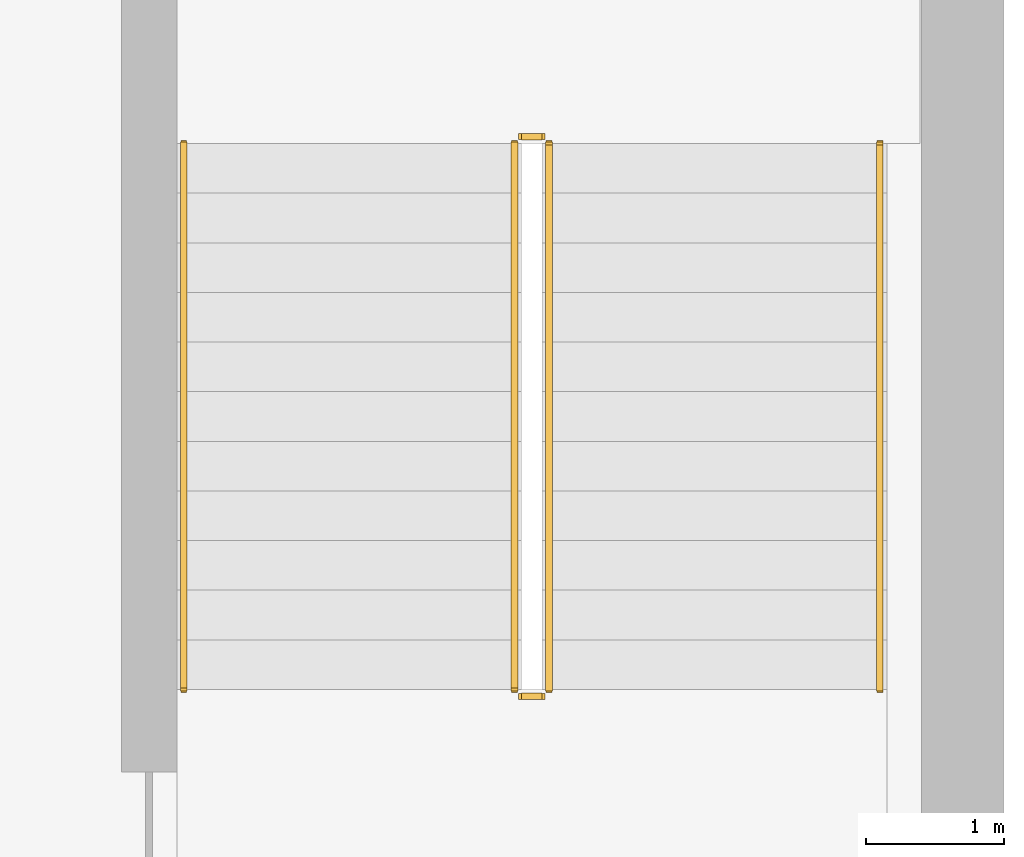
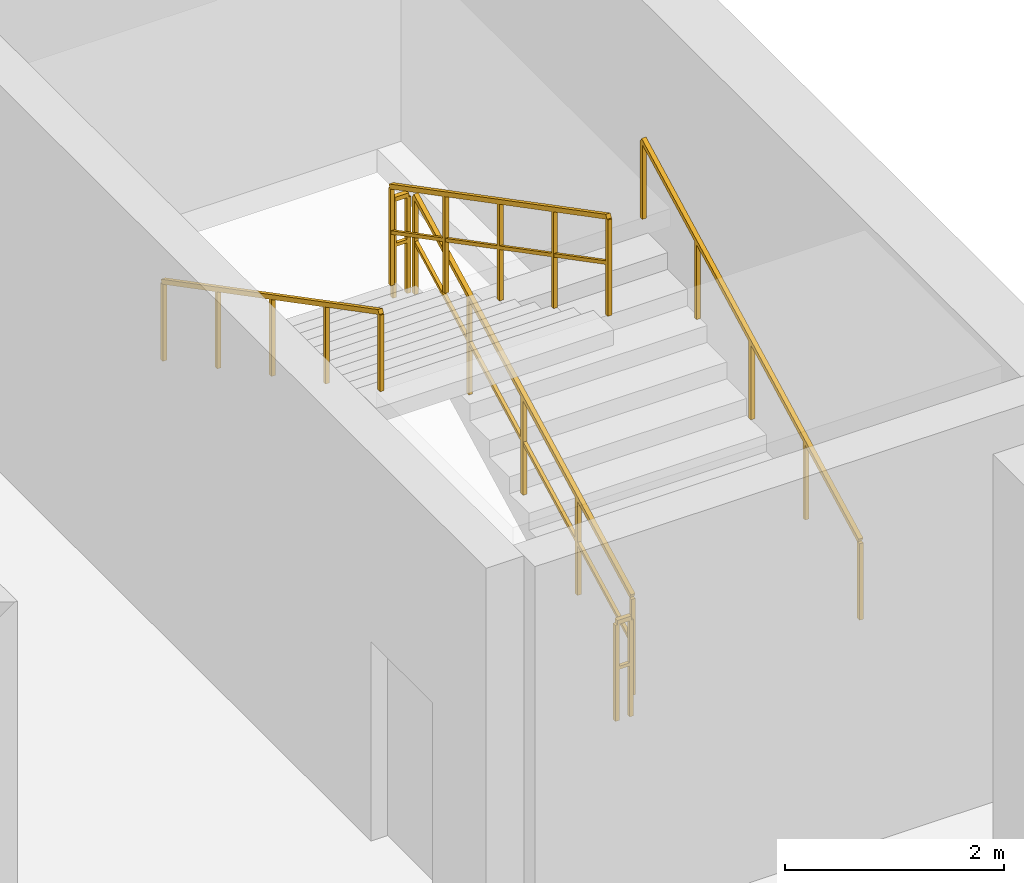
# One storey, part 12 of 13: 6 railings.
"""IFC4 building model written with IfcOpenShell, lengths in metres."""

from ifc_helpers import new_model, si_unit, direction, frame, origin, origin_2d, place, context, subcontext, project, spatial, rectangle, extrude, material, type_object, element, save


model = new_model("IFC4")

# Units and contexts
model_context = context("Model", 3, precision=1e-05, world=origin(), true_north=direction((0.0, 1.0)))
body_context = subcontext(model_context, "Body", "Model", "MODEL_VIEW")
ifc_project = project(units=[si_unit("LENGTHUNIT", "METRE"), si_unit("AREAUNIT", "SQUARE_METRE"), si_unit("VOLUMEUNIT", "CUBIC_METRE"), si_unit("PLANEANGLEUNIT", "RADIAN"), si_unit("MASSUNIT", "GRAM", prefix="KILO")], contexts=[model_context])

# Site, building, storey
site_placement = place(None, origin())
site = spatial("IfcSite", under=ifc_project, at=site_placement, CompositionType="ELEMENT")
building_placement = place(site_placement, origin())
building = spatial("IfcBuilding", under=site, at=building_placement, Name="Zuhayl Quay Hotel", CompositionType="ELEMENT")
storey_placement = place(building_placement, frame((0.0, 0.0, -4.5)))
storey = spatial("IfcBuildingStorey", under=building, at=storey_placement, Name="B1", CompositionType="ELEMENT", Elevation=-4.5)

# Railings
ifc_material = material(Name="Steel ASTM A992 Grade 50", Category="steel")
railing_type_1 = type_object("IfcRailingType", Name="RL_GUARD_1100", PredefinedType="GUARDRAIL", material=ifc_material)
railing_1_placement = place(storey_placement, frame((33.0, 4.10009765625, 0.1875)))
element("IfcRailing", 1, at=railing_1_placement, inside=storey, type_object=railing_type_1, Name="B1 ST4 stair guard 1", PredefinedType="GUARDRAIL", context=body_context, shape_type="SweptSolid", body=[
    extrude(rectangle(XDim=0.048095703125, YDim=0.048095703125, at=origin_2d()), frame((0.0, 0.0, 1.09619140625), z_axis=(0.0, 0.886912217305, 0.461938003193), x_axis=(-1.0, 0.0, 0.0)), (0.0, 0.0, 1.0), 4.46484375),
    extrude(rectangle(XDim=0.0361328125, YDim=0.0361328125, at=origin_2d()), frame((0.0, 0.0, 0.58251953125), z_axis=(0.0, 0.886912217305, 0.461938003193), x_axis=(-1.0, 0.0, 0.0)), (0.0, 0.0, 1.0), 4.46484375),
    extrude(rectangle(XDim=0.0419921875, YDim=0.0419921875, at=origin_2d()), origin(), (0.0, 0.0, 1.0), 1.072021484375),
    extrude(rectangle(XDim=0.0419921875, YDim=0.0419921875, at=origin_2d()), frame((0.0, 0.989990234375, 0.515625)), (0.0, 0.0, 1.0), 1.072021484375),
    extrude(rectangle(XDim=0.0419921875, YDim=0.0419921875, at=origin_2d()), frame((0.0, 1.97998046875, 1.03125)), (0.0, 0.0, 1.0), 1.072021484375),
    extrude(rectangle(XDim=0.0419921875, YDim=0.0419921875, at=origin_2d()), frame((0.0, 2.969970703125, 1.546875)), (0.0, 0.0, 1.0), 1.072021484375),
    extrude(rectangle(XDim=0.0419921875, YDim=0.0419921875, at=origin_2d()), frame((0.0, 3.9599609375, 2.0625)), (0.0, 0.0, 1.0), 1.072021484375),
])
railing_2_placement = place(storey_placement, frame((32.949951171875, 8.110107421875, 2.25)))
element("IfcRailing", 2, at=railing_2_placement, inside=storey, type_object=railing_type_1, Name="B1 ST4 stair guard 2", PredefinedType="GUARDRAIL", context=body_context, shape_type="SweptSolid", body=[
    extrude(rectangle(XDim=0.048095703125, YDim=0.048095703125, at=origin_2d()), frame((0.0, 0.0, 1.09619140625), z_axis=(-1.0, 0.0, 0.0), x_axis=(0.0, -1.0, 0.0)), (0.0, 0.0, 1.0), 0.14990234375),
    extrude(rectangle(XDim=0.0361328125, YDim=0.0361328125, at=origin_2d()), frame((0.0, 0.0, 0.58251953125), z_axis=(-1.0, 0.0, 0.0), x_axis=(0.0, -1.0, 0.0)), (0.0, 0.0, 1.0), 0.14990234375),
    extrude(rectangle(XDim=0.0419921875, YDim=0.0419921875, at=origin_2d()), origin(), (0.0, 0.0, 1.0), 1.072021484375),
    extrude(rectangle(XDim=0.0419921875, YDim=0.0419921875, at=origin_2d()), frame((-0.14990234375, 0.0, 0.0)), (0.0, 0.0, 1.0), 1.072021484375),
])
railing_3_placement = place(storey_placement, frame((32.75, 8.06005859375, 2.4375)))
element("IfcRailing", 3, at=railing_3_placement, inside=storey, type_object=railing_type_1, Name="B1 ST4 stair guard 3", PredefinedType="GUARDRAIL", context=body_context, shape_type="SweptSolid", body=[
    extrude(rectangle(XDim=0.048095703125, YDim=0.048095703125, at=origin_2d()), frame((0.0, 0.0, 1.09619140625), z_axis=(0.0, -0.886912217305, 0.461938003193), x_axis=(1.0, 0.0, 0.0)), (0.0, 0.0, 1.0), 4.46484375),
    extrude(rectangle(XDim=0.0361328125, YDim=0.0361328125, at=origin_2d()), frame((0.0, 0.0, 0.58251953125), z_axis=(0.0, -0.886912217305, 0.461938003193), x_axis=(1.0, 0.0, 0.0)), (0.0, 0.0, 1.0), 4.46484375),
    extrude(rectangle(XDim=0.0419921875, YDim=0.0419921875, at=origin_2d()), origin(), (0.0, 0.0, 1.0), 1.072021484375),
    extrude(rectangle(XDim=0.0419921875, YDim=0.0419921875, at=origin_2d()), frame((0.0, -0.989990234375, 0.515625)), (0.0, 0.0, 1.0), 1.072021484375),
    extrude(rectangle(XDim=0.0419921875, YDim=0.0419921875, at=origin_2d()), frame((0.0, -1.97998046875, 1.03125)), (0.0, 0.0, 1.0), 1.072021484375),
    extrude(rectangle(XDim=0.0419921875, YDim=0.0419921875, at=origin_2d()), frame((0.0, -2.969970703125, 1.546875)), (0.0, 0.0, 1.0), 1.072021484375),
    extrude(rectangle(XDim=0.0419921875, YDim=0.0419921875, at=origin_2d()), frame((0.0, -3.9599609375, 2.0625)), (0.0, 0.0, 1.0), 1.072021484375),
])
railing_4_placement = place(storey_placement, frame((32.949951171875, 4.050048828125, 0.0)))
element("IfcRailing", 4, at=railing_4_placement, inside=storey, type_object=railing_type_1, Name="B1 ST4 stair guard 4", PredefinedType="GUARDRAIL", context=body_context, shape_type="SweptSolid", body=[
    extrude(rectangle(XDim=0.048095703125, YDim=0.048095703125, at=origin_2d()), frame((0.0, 0.0, 1.09619140625), z_axis=(-1.0, 0.0, 0.0), x_axis=(0.0, -1.0, 0.0)), (0.0, 0.0, 1.0), 0.14990234375),
    extrude(rectangle(XDim=0.0361328125, YDim=0.0361328125, at=origin_2d()), frame((0.0, 0.0, 0.58251953125), z_axis=(-1.0, 0.0, 0.0), x_axis=(0.0, -1.0, 0.0)), (0.0, 0.0, 1.0), 0.14990234375),
    extrude(rectangle(XDim=0.0419921875, YDim=0.0419921875, at=origin_2d()), origin(), (0.0, 0.0, 1.0), 1.072021484375),
    extrude(rectangle(XDim=0.0419921875, YDim=0.0419921875, at=origin_2d()), frame((-0.14990234375, 0.0, 0.0)), (0.0, 0.0, 1.0), 1.072021484375),
])
railing_type_2 = type_object("IfcRailingType", Name="RL_HANDRAIL_920", PredefinedType="HANDRAIL", material=ifc_material)
railing_5_placement = place(storey_placement, frame((35.39990234375, 4.10009765625, 0.1875)))
element("IfcRailing", 5, at=railing_5_placement, inside=storey, type_object=railing_type_2, Name="B1 ST4 stair handrail 1", PredefinedType="HANDRAIL", context=body_context, shape_type="SweptSolid", body=[
    extrude(rectangle(XDim=0.048095703125, YDim=0.048095703125, at=origin_2d()), frame((0.0, 0.0, 0.8759765625), z_axis=(0.0, 0.886912217305, 0.461938003193), x_axis=(-1.0, 0.0, 0.0)), (0.0, 0.0, 1.0), 4.46484375),
    extrude(rectangle(XDim=0.0419921875, YDim=0.0419921875, at=origin_2d()), origin(), (0.0, 0.0, 1.0), 0.851806640625),
    extrude(rectangle(XDim=0.0419921875, YDim=0.0419921875, at=origin_2d()), frame((0.0, 0.989990234375, 0.515625)), (0.0, 0.0, 1.0), 0.851806640625),
    extrude(rectangle(XDim=0.0419921875, YDim=0.0419921875, at=origin_2d()), frame((0.0, 1.97998046875, 1.03125)), (0.0, 0.0, 1.0), 0.851806640625),
    extrude(rectangle(XDim=0.0419921875, YDim=0.0419921875, at=origin_2d()), frame((0.0, 2.969970703125, 1.546875)), (0.0, 0.0, 1.0), 0.851806640625),
    extrude(rectangle(XDim=0.0419921875, YDim=0.0419921875, at=origin_2d()), frame((0.0, 3.9599609375, 2.0625)), (0.0, 0.0, 1.0), 0.851806640625),
])
railing_6_placement = place(storey_placement, frame((30.35009765625, 8.06005859375, 2.4375)))
element("IfcRailing", 6, at=railing_6_placement, inside=storey, type_object=railing_type_2, Name="B1 ST4 stair handrail 2", PredefinedType="HANDRAIL", context=body_context, shape_type="SweptSolid", body=[
    extrude(rectangle(XDim=0.048095703125, YDim=0.048095703125, at=origin_2d()), frame((0.0, 0.0, 0.8759765625), z_axis=(0.0, -0.886912217305, 0.461938003193), x_axis=(1.0, 0.0, 0.0)), (0.0, 0.0, 1.0), 4.46484375),
    extrude(rectangle(XDim=0.0419921875, YDim=0.0419921875, at=origin_2d()), origin(), (0.0, 0.0, 1.0), 0.851806640625),
    extrude(rectangle(XDim=0.0419921875, YDim=0.0419921875, at=origin_2d()), frame((0.0, -0.989990234375, 0.515625)), (0.0, 0.0, 1.0), 0.851806640625),
    extrude(rectangle(XDim=0.0419921875, YDim=0.0419921875, at=origin_2d()), frame((0.0, -1.97998046875, 1.03125)), (0.0, 0.0, 1.0), 0.851806640625),
    extrude(rectangle(XDim=0.0419921875, YDim=0.0419921875, at=origin_2d()), frame((0.0, -2.969970703125, 1.546875)), (0.0, 0.0, 1.0), 0.851806640625),
    extrude(rectangle(XDim=0.0419921875, YDim=0.0419921875, at=origin_2d()), frame((0.0, -3.9599609375, 2.0625)), (0.0, 0.0, 1.0), 0.851806640625),
])

save(model, "model.ifc")
